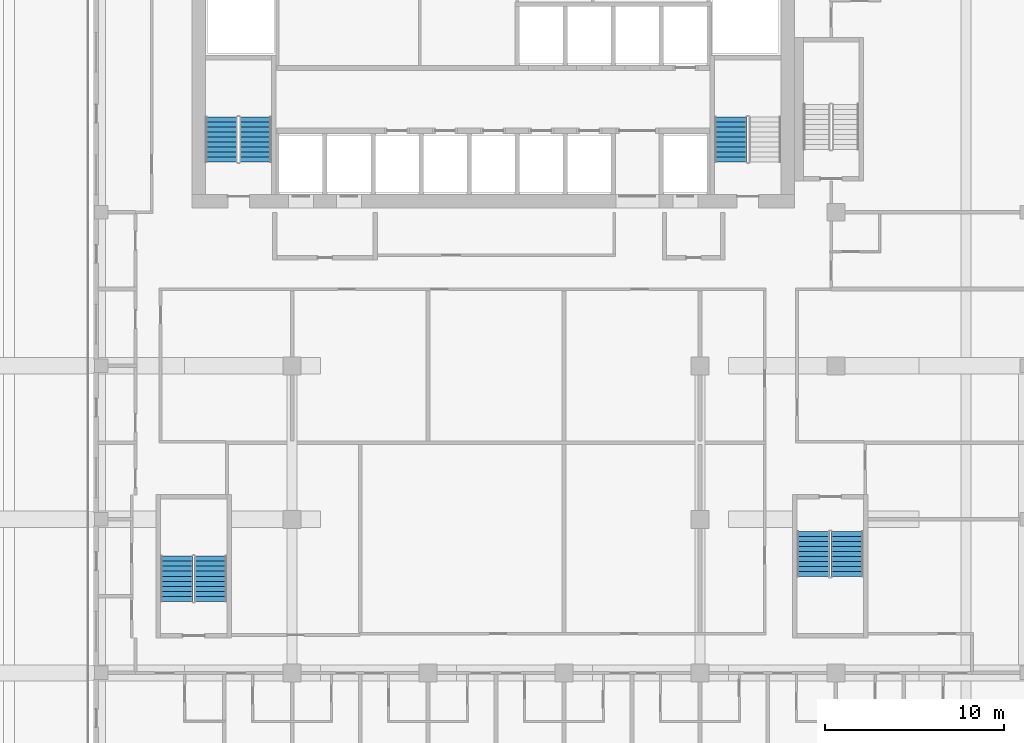
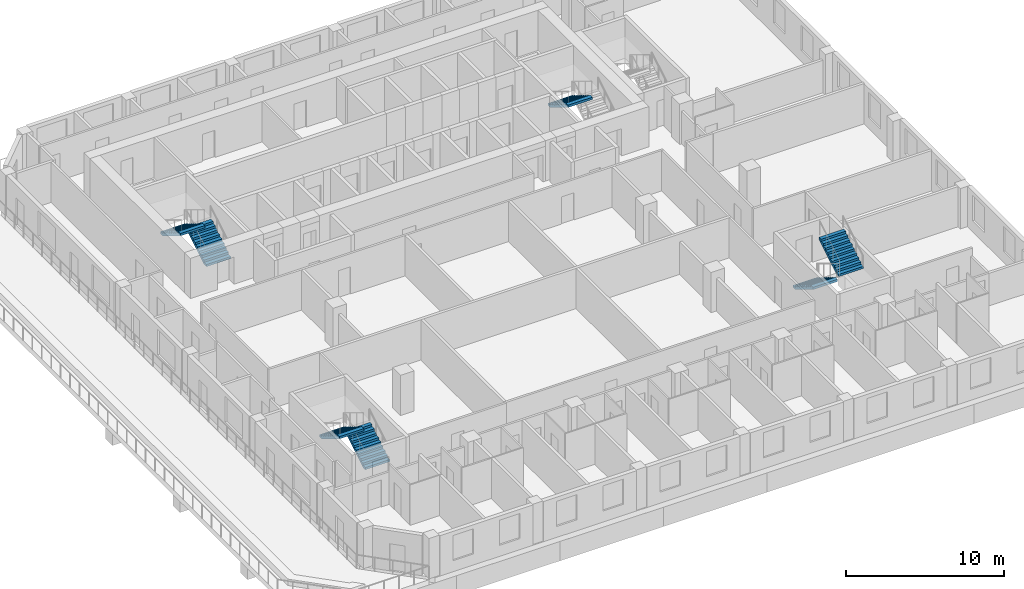
# One storey, part 12 of 16: 7 stair flights, 4 elements without a shape of their own.
"""IFC4 building model written with IfcOpenShell, lengths in metres."""

from ifc_helpers import new_model, si_unit, direction, frame, origin, place, context, subcontext, project, spatial, triangles, source, transform, mapped, material, type_object, element, aggregate, save


model = new_model("IFC4")

# Units and contexts
model_context = context("Model", 3, precision=1e-05, world=origin(), true_north=direction((0.0, 1.0)))
body_context = subcontext(model_context, "Body", "Model", "MODEL_VIEW")
ifc_project = project(units=[si_unit("LENGTHUNIT", "METRE"), si_unit("AREAUNIT", "SQUARE_METRE"), si_unit("VOLUMEUNIT", "CUBIC_METRE"), si_unit("PLANEANGLEUNIT", "RADIAN"), si_unit("MASSUNIT", "GRAM", prefix="KILO")], contexts=[model_context])

# Site, building, storey
site_placement = place(None, origin())
site = spatial("IfcSite", under=ifc_project, at=site_placement, CompositionType="ELEMENT")
building_placement = place(site_placement, origin())
building = spatial("IfcBuilding", under=site, at=building_placement, Name="Kilnfold Tower and Market Hall", CompositionType="ELEMENT")
storey_placement = place(building_placement, frame((0.0, 0.0, 199.89990234375)))
storey = spatial("IfcBuildingStorey", under=building, at=storey_placement, Name="L48", CompositionType="ELEMENT", Elevation=199.89990234375)

# Stair, stair flights
ifc_material_1 = material(Name="Concrete C40/50", Category="concrete")
stair_type = type_object("IfcStairType", Name="CORE STAIR 1800", PredefinedType="HALF_TURN_STAIR", material=ifc_material_1)
stair_1_placement = place(storey_placement, origin())
stair_1 = element("IfcStair", 1, at=stair_1_placement, inside=storey, type_object=stair_type, Name="L48 ST1", PredefinedType="HALF_TURN_STAIR")
ifc_material_2 = material(Name="Concrete C40/50", Category="concrete")
stair_flight_type = type_object("IfcStairFlightType", Name="CORE STAIR FLIGHT 1800", PredefinedType="STRAIGHT", material=ifc_material_2)
shared_shape = source(origin(), body_context, "Body", "Tessellation", [
    triangles([(0.0, 0.89990234375, 0.0), (0.0, 0.78759765625, 0.0), (0.0, 0.675048828125, 0.0), (0.0, 0.5625, 0.0), (0.0, 0.449951171875, 0.0), (0.0, 0.33740234375, 0.0), (0.0, 0.22509765625, 0.0), (0.0, 0.112548828125, 0.0), (0.0, 0.0, 0.0), (0.0, -0.112548828125, 0.0), (0.0, -0.22509765625, 0.0), (0.0, -0.33740234375, 0.0), (0.0, -0.449951171875, 0.0), (0.0, -0.5625, 0.0), (0.0, -0.675048828125, 0.0), (0.0, -0.78759765625, 0.0), (0.0, -0.89990234375, 0.0), (0.0, 0.89990234375, 0.169921875), (0.0, 0.78759765625, 0.169921875), (0.0, 0.675048828125, 0.169921875), (0.0, 0.5625, 0.169921875), (0.0, 0.449951171875, 0.169921875), (0.0, 0.33740234375, 0.169921875), (0.0, 0.22509765625, 0.169921875), (0.0, 0.112548828125, 0.169921875), (0.0, 0.0, 0.169921875), (0.0, -0.112548828125, 0.169921875), (0.0, -0.22509765625, 0.169921875), (0.0, -0.33740234375, 0.169921875), (0.0, -0.449951171875, 0.169921875), (0.0, -0.5625, 0.169921875), (0.0, -0.675048828125, 0.169921875), (0.0, -0.78759765625, 0.169921875), (0.0, -0.89990234375, 0.169921875), (0.280029296875, 0.89990234375, 0.169921875), (0.280029296875, 0.78759765625, 0.169921875), (0.280029296875, 0.675048828125, 0.169921875), (0.280029296875, 0.5625, 0.169921875), (0.280029296875, 0.449951171875, 0.169921875), (0.280029296875, 0.33740234375, 0.169921875), (0.280029296875, 0.22509765625, 0.169921875), (0.280029296875, 0.112548828125, 0.169921875), (0.280029296875, 0.0, 0.169921875), (0.280029296875, -0.112548828125, 0.169921875), (0.280029296875, -0.22509765625, 0.169921875), (0.280029296875, -0.33740234375, 0.169921875), (0.280029296875, -0.449951171875, 0.169921875), (0.280029296875, -0.5625, 0.169921875), (0.280029296875, -0.675048828125, 0.169921875), (0.280029296875, -0.78759765625, 0.169921875), (0.280029296875, -0.89990234375, 0.169921875), (0.280029296875, 0.89990234375, 0.340087890625), (0.280029296875, 0.78759765625, 0.340087890625), (0.280029296875, 0.675048828125, 0.340087890625), (0.280029296875, 0.5625, 0.340087890625), (0.280029296875, 0.449951171875, 0.340087890625), (0.280029296875, 0.33740234375, 0.340087890625), (0.280029296875, 0.22509765625, 0.340087890625), (0.280029296875, 0.112548828125, 0.340087890625), (0.280029296875, 0.0, 0.340087890625), (0.280029296875, -0.112548828125, 0.340087890625), (0.280029296875, -0.22509765625, 0.340087890625), (0.280029296875, -0.33740234375, 0.340087890625), (0.280029296875, -0.449951171875, 0.340087890625), (0.280029296875, -0.5625, 0.340087890625), (0.280029296875, -0.675048828125, 0.340087890625), (0.280029296875, -0.78759765625, 0.340087890625), (0.280029296875, -0.89990234375, 0.340087890625), (0.56005859375, 0.89990234375, 0.340087890625), (0.56005859375, 0.78759765625, 0.340087890625), (0.56005859375, 0.675048828125, 0.340087890625), (0.56005859375, 0.5625, 0.340087890625), (0.56005859375, 0.449951171875, 0.340087890625), (0.56005859375, 0.33740234375, 0.340087890625), (0.56005859375, 0.22509765625, 0.340087890625), (0.56005859375, 0.112548828125, 0.340087890625), (0.56005859375, 0.0, 0.340087890625), (0.56005859375, -0.112548828125, 0.340087890625), (0.56005859375, -0.22509765625, 0.340087890625), (0.56005859375, -0.33740234375, 0.340087890625), (0.56005859375, -0.449951171875, 0.340087890625), (0.56005859375, -0.5625, 0.340087890625), (0.56005859375, -0.675048828125, 0.340087890625), (0.56005859375, -0.78759765625, 0.340087890625), (0.56005859375, -0.89990234375, 0.340087890625), (0.56005859375, 0.89990234375, 0.510009765625), (0.56005859375, 0.78759765625, 0.510009765625), (0.56005859375, 0.675048828125, 0.510009765625), (0.56005859375, 0.5625, 0.510009765625), (0.56005859375, 0.449951171875, 0.510009765625), (0.56005859375, 0.33740234375, 0.510009765625), (0.56005859375, 0.22509765625, 0.510009765625), (0.56005859375, 0.112548828125, 0.510009765625), (0.56005859375, 0.0, 0.510009765625), (0.56005859375, -0.112548828125, 0.510009765625), (0.56005859375, -0.22509765625, 0.510009765625), (0.56005859375, -0.33740234375, 0.510009765625), (0.56005859375, -0.449951171875, 0.510009765625), (0.56005859375, -0.5625, 0.510009765625), (0.56005859375, -0.675048828125, 0.510009765625), (0.56005859375, -0.78759765625, 0.510009765625), (0.56005859375, -0.89990234375, 0.510009765625), (0.840087890625, 0.89990234375, 0.510009765625), (0.840087890625, 0.78759765625, 0.510009765625), (0.840087890625, 0.675048828125, 0.510009765625), (0.840087890625, 0.5625, 0.510009765625), (0.840087890625, 0.449951171875, 0.510009765625), (0.840087890625, 0.33740234375, 0.510009765625), (0.840087890625, 0.22509765625, 0.510009765625), (0.840087890625, 0.112548828125, 0.510009765625), (0.840087890625, 0.0, 0.510009765625), (0.840087890625, -0.112548828125, 0.510009765625), (0.840087890625, -0.22509765625, 0.510009765625), (0.840087890625, -0.33740234375, 0.510009765625), (0.840087890625, -0.449951171875, 0.510009765625), (0.840087890625, -0.5625, 0.510009765625), (0.840087890625, -0.675048828125, 0.510009765625), (0.840087890625, -0.78759765625, 0.510009765625), (0.840087890625, -0.89990234375, 0.510009765625), (0.840087890625, 0.89990234375, 0.679931640625), (0.840087890625, 0.78759765625, 0.679931640625), (0.840087890625, 0.675048828125, 0.679931640625), (0.840087890625, 0.5625, 0.679931640625), (0.840087890625, 0.449951171875, 0.679931640625), (0.840087890625, 0.33740234375, 0.679931640625), (0.840087890625, 0.22509765625, 0.679931640625), (0.840087890625, 0.112548828125, 0.679931640625), (0.840087890625, 0.0, 0.679931640625), (0.840087890625, -0.112548828125, 0.679931640625), (0.840087890625, -0.22509765625, 0.679931640625), (0.840087890625, -0.33740234375, 0.679931640625), (0.840087890625, -0.449951171875, 0.679931640625), (0.840087890625, -0.5625, 0.679931640625), (0.840087890625, -0.675048828125, 0.679931640625), (0.840087890625, -0.78759765625, 0.679931640625), (0.840087890625, -0.89990234375, 0.679931640625), (1.1201171875, 0.89990234375, 0.679931640625), (1.1201171875, 0.78759765625, 0.679931640625), (1.1201171875, 0.675048828125, 0.679931640625), (1.1201171875, 0.5625, 0.679931640625), (1.1201171875, 0.449951171875, 0.679931640625), (1.1201171875, 0.33740234375, 0.679931640625), (1.1201171875, 0.22509765625, 0.679931640625), (1.1201171875, 0.112548828125, 0.679931640625), (1.1201171875, 0.0, 0.679931640625), (1.1201171875, -0.112548828125, 0.679931640625), (1.1201171875, -0.22509765625, 0.679931640625), (1.1201171875, -0.33740234375, 0.679931640625), (1.1201171875, -0.449951171875, 0.679931640625), (1.1201171875, -0.5625, 0.679931640625), (1.1201171875, -0.675048828125, 0.679931640625), (1.1201171875, -0.78759765625, 0.679931640625), (1.1201171875, -0.89990234375, 0.679931640625), (1.1201171875, 0.89990234375, 0.85009765625), (1.1201171875, 0.78759765625, 0.85009765625), (1.1201171875, 0.675048828125, 0.85009765625), (1.1201171875, 0.5625, 0.85009765625), (1.1201171875, 0.449951171875, 0.85009765625), (1.1201171875, 0.33740234375, 0.85009765625), (1.1201171875, 0.22509765625, 0.85009765625), (1.1201171875, 0.112548828125, 0.85009765625), (1.1201171875, 0.0, 0.85009765625), (1.1201171875, -0.112548828125, 0.85009765625), (1.1201171875, -0.22509765625, 0.85009765625), (1.1201171875, -0.33740234375, 0.85009765625), (1.1201171875, -0.449951171875, 0.85009765625), (1.1201171875, -0.5625, 0.85009765625), (1.1201171875, -0.675048828125, 0.85009765625), (1.1201171875, -0.78759765625, 0.85009765625), (1.1201171875, -0.89990234375, 0.85009765625), (1.39990234375, 0.89990234375, 0.85009765625), (1.39990234375, 0.78759765625, 0.85009765625), (1.39990234375, 0.675048828125, 0.85009765625), (1.39990234375, 0.5625, 0.85009765625), (1.39990234375, 0.449951171875, 0.85009765625), (1.39990234375, 0.33740234375, 0.85009765625), (1.39990234375, 0.22509765625, 0.85009765625), (1.39990234375, 0.112548828125, 0.85009765625), (1.39990234375, 0.0, 0.85009765625), (1.39990234375, -0.112548828125, 0.85009765625), (1.39990234375, -0.22509765625, 0.85009765625), (1.39990234375, -0.33740234375, 0.85009765625), (1.39990234375, -0.449951171875, 0.85009765625), (1.39990234375, -0.5625, 0.85009765625), (1.39990234375, -0.675048828125, 0.85009765625), (1.39990234375, -0.78759765625, 0.85009765625), (1.39990234375, -0.89990234375, 0.85009765625), (1.39990234375, 0.89990234375, 1.02001953125), (1.39990234375, 0.78759765625, 1.02001953125), (1.39990234375, 0.675048828125, 1.02001953125), (1.39990234375, 0.5625, 1.02001953125), (1.39990234375, 0.449951171875, 1.02001953125), (1.39990234375, 0.33740234375, 1.02001953125), (1.39990234375, 0.22509765625, 1.02001953125), (1.39990234375, 0.112548828125, 1.02001953125), (1.39990234375, 0.0, 1.02001953125), (1.39990234375, -0.112548828125, 1.02001953125), (1.39990234375, -0.22509765625, 1.02001953125), (1.39990234375, -0.33740234375, 1.02001953125), (1.39990234375, -0.449951171875, 1.02001953125), (1.39990234375, -0.5625, 1.02001953125), (1.39990234375, -0.675048828125, 1.02001953125), (1.39990234375, -0.78759765625, 1.02001953125), (1.39990234375, -0.89990234375, 1.02001953125), (1.679931640625, 0.89990234375, 1.02001953125), (1.679931640625, 0.78759765625, 1.02001953125), (1.679931640625, 0.675048828125, 1.02001953125), (1.679931640625, 0.5625, 1.02001953125), (1.679931640625, 0.449951171875, 1.02001953125), (1.679931640625, 0.33740234375, 1.02001953125), (1.679931640625, 0.22509765625, 1.02001953125), (1.679931640625, 0.112548828125, 1.02001953125), (1.679931640625, 0.0, 1.02001953125), (1.679931640625, -0.112548828125, 1.02001953125), (1.679931640625, -0.22509765625, 1.02001953125), (1.679931640625, -0.33740234375, 1.02001953125), (1.679931640625, -0.449951171875, 1.02001953125), (1.679931640625, -0.5625, 1.02001953125), (1.679931640625, -0.675048828125, 1.02001953125), (1.679931640625, -0.78759765625, 1.02001953125), (1.679931640625, -0.89990234375, 1.02001953125), (1.679931640625, 0.89990234375, 1.18994140625), (1.679931640625, 0.78759765625, 1.18994140625), (1.679931640625, 0.675048828125, 1.18994140625), (1.679931640625, 0.5625, 1.18994140625), (1.679931640625, 0.449951171875, 1.18994140625), (1.679931640625, 0.33740234375, 1.18994140625), (1.679931640625, 0.22509765625, 1.18994140625), (1.679931640625, 0.112548828125, 1.18994140625), (1.679931640625, 0.0, 1.18994140625), (1.679931640625, -0.112548828125, 1.18994140625), (1.679931640625, -0.22509765625, 1.18994140625), (1.679931640625, -0.33740234375, 1.18994140625), (1.679931640625, -0.449951171875, 1.18994140625), (1.679931640625, -0.5625, 1.18994140625), (1.679931640625, -0.675048828125, 1.18994140625), (1.679931640625, -0.78759765625, 1.18994140625), (1.679931640625, -0.89990234375, 1.18994140625), (1.9599609375, 0.89990234375, 1.18994140625), (1.9599609375, 0.78759765625, 1.18994140625), (1.9599609375, 0.675048828125, 1.18994140625), (1.9599609375, 0.5625, 1.18994140625), (1.9599609375, 0.449951171875, 1.18994140625), (1.9599609375, 0.33740234375, 1.18994140625), (1.9599609375, 0.22509765625, 1.18994140625), (1.9599609375, 0.112548828125, 1.18994140625), (1.9599609375, 0.0, 1.18994140625), (1.9599609375, -0.112548828125, 1.18994140625), (1.9599609375, -0.22509765625, 1.18994140625), (1.9599609375, -0.33740234375, 1.18994140625), (1.9599609375, -0.449951171875, 1.18994140625), (1.9599609375, -0.5625, 1.18994140625), (1.9599609375, -0.675048828125, 1.18994140625), (1.9599609375, -0.78759765625, 1.18994140625), (1.9599609375, -0.89990234375, 1.18994140625), (1.9599609375, 0.89990234375, 1.360107421875), (1.9599609375, 0.78759765625, 1.360107421875), (1.9599609375, 0.675048828125, 1.360107421875), (1.9599609375, 0.5625, 1.360107421875), (1.9599609375, 0.449951171875, 1.360107421875), (1.9599609375, 0.33740234375, 1.360107421875), (1.9599609375, 0.22509765625, 1.360107421875), (1.9599609375, 0.112548828125, 1.360107421875), (1.9599609375, 0.0, 1.360107421875), (1.9599609375, -0.112548828125, 1.360107421875), (1.9599609375, -0.22509765625, 1.360107421875), (1.9599609375, -0.33740234375, 1.360107421875), (1.9599609375, -0.449951171875, 1.360107421875), (1.9599609375, -0.5625, 1.360107421875), (1.9599609375, -0.675048828125, 1.360107421875), (1.9599609375, -0.78759765625, 1.360107421875), (1.9599609375, -0.89990234375, 1.360107421875), (2.239990234375, 0.89990234375, 1.360107421875), (2.239990234375, 0.78759765625, 1.360107421875), (2.239990234375, 0.675048828125, 1.360107421875), (2.239990234375, 0.5625, 1.360107421875), (2.239990234375, 0.449951171875, 1.360107421875), (2.239990234375, 0.33740234375, 1.360107421875), (2.239990234375, 0.22509765625, 1.360107421875), (2.239990234375, 0.112548828125, 1.360107421875), (2.239990234375, 0.0, 1.360107421875), (2.239990234375, -0.112548828125, 1.360107421875), (2.239990234375, -0.22509765625, 1.360107421875), (2.239990234375, -0.33740234375, 1.360107421875), (2.239990234375, -0.449951171875, 1.360107421875), (2.239990234375, -0.5625, 1.360107421875), (2.239990234375, -0.675048828125, 1.360107421875), (2.239990234375, -0.78759765625, 1.360107421875), (2.239990234375, -0.89990234375, 1.360107421875), (2.239990234375, 0.89990234375, 1.530029296875), (2.239990234375, 0.78759765625, 1.530029296875), (2.239990234375, 0.675048828125, 1.530029296875), (2.239990234375, 0.5625, 1.530029296875), (2.239990234375, 0.449951171875, 1.530029296875), (2.239990234375, 0.33740234375, 1.530029296875), (2.239990234375, 0.22509765625, 1.530029296875), (2.239990234375, 0.112548828125, 1.530029296875), (2.239990234375, 0.0, 1.530029296875), (2.239990234375, -0.112548828125, 1.530029296875), (2.239990234375, -0.22509765625, 1.530029296875), (2.239990234375, -0.33740234375, 1.530029296875), (2.239990234375, -0.449951171875, 1.530029296875), (2.239990234375, -0.5625, 1.530029296875), (2.239990234375, -0.675048828125, 1.530029296875), (2.239990234375, -0.78759765625, 1.530029296875), (2.239990234375, -0.89990234375, 1.530029296875), (2.52001953125, 0.89990234375, 1.530029296875), (2.52001953125, 0.78759765625, 1.530029296875), (2.52001953125, 0.675048828125, 1.530029296875), (2.52001953125, 0.5625, 1.530029296875), (2.52001953125, 0.449951171875, 1.530029296875), (2.52001953125, 0.33740234375, 1.530029296875), (2.52001953125, 0.22509765625, 1.530029296875), (2.52001953125, 0.112548828125, 1.530029296875), (2.52001953125, 0.0, 1.530029296875), (2.52001953125, -0.112548828125, 1.530029296875), (2.52001953125, -0.22509765625, 1.530029296875), (2.52001953125, -0.33740234375, 1.530029296875), (2.52001953125, -0.449951171875, 1.530029296875), (2.52001953125, -0.5625, 1.530029296875), (2.52001953125, -0.675048828125, 1.530029296875), (2.52001953125, -0.78759765625, 1.530029296875), (2.52001953125, -0.89990234375, 1.530029296875), (2.52001953125, 0.89990234375, 1.354736328125), (2.52001953125, 0.78759765625, 1.354736328125), (2.52001953125, 0.675048828125, 1.354736328125), (2.52001953125, 0.5625, 1.354736328125), (2.52001953125, 0.449951171875, 1.354736328125), (2.52001953125, 0.33740234375, 1.354736328125), (2.52001953125, 0.22509765625, 1.354736328125), (2.52001953125, 0.112548828125, 1.354736328125), (2.52001953125, 0.0, 1.354736328125), (2.52001953125, -0.112548828125, 1.354736328125), (2.52001953125, -0.22509765625, 1.354736328125), (2.52001953125, -0.33740234375, 1.354736328125), (2.52001953125, -0.449951171875, 1.354736328125), (2.52001953125, -0.5625, 1.354736328125), (2.52001953125, -0.675048828125, 1.354736328125), (2.52001953125, -0.78759765625, 1.354736328125), (2.52001953125, -0.89990234375, 1.354736328125), (0.288818359375, 0.89990234375, 0.0), (0.288818359375, 0.78759765625, 0.0), (0.288818359375, 0.675048828125, 0.0), (0.288818359375, 0.5625, 0.0), (0.288818359375, 0.449951171875, 0.0), (0.288818359375, 0.33740234375, 0.0), (0.288818359375, 0.22509765625, 0.0), (0.288818359375, 0.112548828125, 0.0), (0.288818359375, 0.0, 0.0), (0.288818359375, -0.112548828125, 0.0), (0.288818359375, -0.22509765625, 0.0), (0.288818359375, -0.33740234375, 0.0), (0.288818359375, -0.449951171875, 0.0), (0.288818359375, -0.5625, 0.0), (0.288818359375, -0.675048828125, 0.0), (0.288818359375, -0.78759765625, 0.0), (0.288818359375, -0.89990234375, 0.0)], [[1, 324, 341], [17, 357, 340], [324, 290, 307], [340, 323, 306], [324, 273, 290], [340, 306, 289], [324, 256, 273], [340, 289, 272], [324, 239, 256], [340, 272, 255], [239, 205, 222], [255, 238, 221], [324, 205, 239], [340, 255, 221], [205, 171, 188], [221, 204, 187], [324, 171, 205], [340, 221, 187], [171, 137, 154], [187, 170, 153], [324, 137, 171], [340, 187, 153], [137, 103, 120], [153, 136, 119], [324, 103, 137], [340, 153, 119], [103, 69, 86], [119, 102, 85], [324, 69, 103], [340, 119, 85], [69, 35, 52], [85, 68, 51], [324, 35, 69], [340, 85, 51], [1, 35, 324], [17, 340, 51], [35, 1, 18], [51, 34, 17], [1, 19, 18], [1, 2, 19], [2, 20, 19], [2, 3, 20], [3, 21, 20], [3, 4, 21], [4, 22, 21], [4, 5, 22], [5, 23, 22], [5, 6, 23], [6, 24, 23], [6, 7, 24], [7, 25, 24], [7, 8, 25], [8, 26, 25], [8, 9, 26], [9, 27, 26], [9, 10, 27], [10, 28, 27], [10, 11, 28], [11, 29, 28], [11, 12, 29], [12, 30, 29], [12, 13, 30], [13, 31, 30], [13, 14, 31], [14, 32, 31], [14, 15, 32], [15, 33, 32], [15, 16, 33], [16, 34, 33], [16, 17, 34], [18, 36, 35], [18, 19, 36], [19, 37, 36], [19, 20, 37], [20, 38, 37], [20, 21, 38], [21, 39, 38], [21, 22, 39], [22, 40, 39], [22, 23, 40], [23, 41, 40], [23, 24, 41], [24, 42, 41], [24, 25, 42], [25, 43, 42], [25, 26, 43], [26, 44, 43], [26, 27, 44], [27, 45, 44], [27, 28, 45], [28, 46, 45], [28, 29, 46], [29, 47, 46], [29, 30, 47], [30, 48, 47], [30, 31, 48], [31, 49, 48], [31, 32, 49], [32, 50, 49], [32, 33, 50], [33, 51, 50], [33, 34, 51], [35, 53, 52], [35, 36, 53], [36, 54, 53], [36, 37, 54], [37, 55, 54], [37, 38, 55], [38, 56, 55], [38, 39, 56], [39, 57, 56], [39, 40, 57], [40, 58, 57], [40, 41, 58], [41, 59, 58], [41, 42, 59], [42, 60, 59], [42, 43, 60], [43, 61, 60], [43, 44, 61], [44, 62, 61], [44, 45, 62], [45, 63, 62], [45, 46, 63], [46, 64, 63], [46, 47, 64], [47, 65, 64], [47, 48, 65], [48, 66, 65], [48, 49, 66], [49, 67, 66], [49, 50, 67], [50, 68, 67], [50, 51, 68], [52, 70, 69], [52, 53, 70], [53, 71, 70], [53, 54, 71], [54, 72, 71], [54, 55, 72], [55, 73, 72], [55, 56, 73], [56, 74, 73], [56, 57, 74], [57, 75, 74], [57, 58, 75], [58, 76, 75], [58, 59, 76], [59, 77, 76], [59, 60, 77], [60, 78, 77], [60, 61, 78], [61, 79, 78], [61, 62, 79], [62, 80, 79], [62, 63, 80], [63, 81, 80], [63, 64, 81], [64, 82, 81], [64, 65, 82], [65, 83, 82], [65, 66, 83], [66, 84, 83], [66, 67, 84], [67, 85, 84], [67, 68, 85], [69, 87, 86], [69, 70, 87], [70, 88, 87], [70, 71, 88], [71, 89, 88], [71, 72, 89], [72, 90, 89], [72, 73, 90], [73, 91, 90], [73, 74, 91], [74, 92, 91], [74, 75, 92], [75, 93, 92], [75, 76, 93], [76, 94, 93], [76, 77, 94], [77, 95, 94], [77, 78, 95], [78, 96, 95], [78, 79, 96], [79, 97, 96], [79, 80, 97], [80, 98, 97], [80, 81, 98], [81, 99, 98], [81, 82, 99], [82, 100, 99], [82, 83, 100], [83, 101, 100], [83, 84, 101], [84, 102, 101], [84, 85, 102], [86, 104, 103], [86, 87, 104], [87, 105, 104], [87, 88, 105], [88, 106, 105], [88, 89, 106], [89, 107, 106], [89, 90, 107], [90, 108, 107], [90, 91, 108], [91, 109, 108], [91, 92, 109], [92, 110, 109], [92, 93, 110], [93, 111, 110], [93, 94, 111], [94, 112, 111], [94, 95, 112], [95, 113, 112], [95, 96, 113], [96, 114, 113], [96, 97, 114], [97, 115, 114], [97, 98, 115], [98, 116, 115], [98, 99, 116], [99, 117, 116], [99, 100, 117], [100, 118, 117], [100, 101, 118], [101, 119, 118], [101, 102, 119], [103, 121, 120], [103, 104, 121], [104, 122, 121], [104, 105, 122], [105, 123, 122], [105, 106, 123], [106, 124, 123], [106, 107, 124], [107, 125, 124], [107, 108, 125], [108, 126, 125], [108, 109, 126], [109, 127, 126], [109, 110, 127], [110, 128, 127], [110, 111, 128], [111, 129, 128], [111, 112, 129], [112, 130, 129], [112, 113, 130], [113, 131, 130], [113, 114, 131], [114, 132, 131], [114, 115, 132], [115, 133, 132], [115, 116, 133], [116, 134, 133], [116, 117, 134], [117, 135, 134], [117, 118, 135], [118, 136, 135], [118, 119, 136], [120, 138, 137], [120, 121, 138], [121, 139, 138], [121, 122, 139], [122, 140, 139], [122, 123, 140], [123, 141, 140], [123, 124, 141], [124, 142, 141], [124, 125, 142], [125, 143, 142], [125, 126, 143], [126, 144, 143], [126, 127, 144], [127, 145, 144], [127, 128, 145], [128, 146, 145], [128, 129, 146], [129, 147, 146], [129, 130, 147], [130, 148, 147], [130, 131, 148], [131, 149, 148], [131, 132, 149], [132, 150, 149], [132, 133, 150], [133, 151, 150], [133, 134, 151], [134, 152, 151], [134, 135, 152], [135, 153, 152], [135, 136, 153], [137, 155, 154], [137, 138, 155], [138, 156, 155], [138, 139, 156], [139, 157, 156], [139, 140, 157], [140, 158, 157], [140, 141, 158], [141, 159, 158], [141, 142, 159], [142, 160, 159], [142, 143, 160], [143, 161, 160], [143, 144, 161], [144, 162, 161], [144, 145, 162], [145, 163, 162], [145, 146, 163], [146, 164, 163], [146, 147, 164], [147, 165, 164], [147, 148, 165], [148, 166, 165], [148, 149, 166], [149, 167, 166], [149, 150, 167], [150, 168, 167], [150, 151, 168], [151, 169, 168], [151, 152, 169], [152, 170, 169], [152, 153, 170], [154, 172, 171], [154, 155, 172], [155, 173, 172], [155, 156, 173], [156, 174, 173], [156, 157, 174], [157, 175, 174], [157, 158, 175], [158, 176, 175], [158, 159, 176], [159, 177, 176], [159, 160, 177], [160, 178, 177], [160, 161, 178], [161, 179, 178], [161, 162, 179], [162, 180, 179], [162, 163, 180], [163, 181, 180], [163, 164, 181], [164, 182, 181], [164, 165, 182], [165, 183, 182], [165, 166, 183], [166, 184, 183], [166, 167, 184], [167, 185, 184], [167, 168, 185], [168, 186, 185], [168, 169, 186], [169, 187, 186], [169, 170, 187], [171, 189, 188], [171, 172, 189], [172, 190, 189], [172, 173, 190], [173, 191, 190], [173, 174, 191], [174, 192, 191], [174, 175, 192], [175, 193, 192], [175, 176, 193], [176, 194, 193], [176, 177, 194], [177, 195, 194], [177, 178, 195], [178, 196, 195], [178, 179, 196], [179, 197, 196], [179, 180, 197], [180, 198, 197], [180, 181, 198], [181, 199, 198], [181, 182, 199], [182, 200, 199], [182, 183, 200], [183, 201, 200], [183, 184, 201], [184, 202, 201], [184, 185, 202], [185, 203, 202], [185, 186, 203], [186, 204, 203], [186, 187, 204], [188, 206, 205], [188, 189, 206], [189, 207, 206], [189, 190, 207], [190, 208, 207], [190, 191, 208], [191, 209, 208], [191, 192, 209], [192, 210, 209], [192, 193, 210], [193, 211, 210], [193, 194, 211], [194, 212, 211], [194, 195, 212], [195, 213, 212], [195, 196, 213], [196, 214, 213], [196, 197, 214], [197, 215, 214], [197, 198, 215], [198, 216, 215], [198, 199, 216], [199, 217, 216], [199, 200, 217], [200, 218, 217], [200, 201, 218], [201, 219, 218], [201, 202, 219], [202, 220, 219], [202, 203, 220], [203, 221, 220], [203, 204, 221], [205, 223, 222], [205, 206, 223], [206, 224, 223], [206, 207, 224], [207, 225, 224], [207, 208, 225], [208, 226, 225], [208, 209, 226], [209, 227, 226], [209, 210, 227], [210, 228, 227], [210, 211, 228], [211, 229, 228], [211, 212, 229], [212, 230, 229], [212, 213, 230], [213, 231, 230], [213, 214, 231], [214, 232, 231], [214, 215, 232], [215, 233, 232], [215, 216, 233], [216, 234, 233], [216, 217, 234], [217, 235, 234], [217, 218, 235], [218, 236, 235], [218, 219, 236], [219, 237, 236], [219, 220, 237], [220, 238, 237], [220, 221, 238], [222, 240, 239], [222, 223, 240], [223, 241, 240], [223, 224, 241], [224, 242, 241], [224, 225, 242], [225, 243, 242], [225, 226, 243], [226, 244, 243], [226, 227, 244], [227, 245, 244], [227, 228, 245], [228, 246, 245], [228, 229, 246], [229, 247, 246], [229, 230, 247], [230, 248, 247], [230, 231, 248], [231, 249, 248], [231, 232, 249], [232, 250, 249], [232, 233, 250], [233, 251, 250], [233, 234, 251], [234, 252, 251], [234, 235, 252], [235, 253, 252], [235, 236, 253], [236, 254, 253], [236, 237, 254], [237, 255, 254], [237, 238, 255], [239, 257, 256], [239, 240, 257], [240, 258, 257], [240, 241, 258], [241, 259, 258], [241, 242, 259], [242, 260, 259], [242, 243, 260], [243, 261, 260], [243, 244, 261], [244, 262, 261], [244, 245, 262], [245, 263, 262], [245, 246, 263], [246, 264, 263], [246, 247, 264], [247, 265, 264], [247, 248, 265], [248, 266, 265], [248, 249, 266], [249, 267, 266], [249, 250, 267], [250, 268, 267], [250, 251, 268], [251, 269, 268], [251, 252, 269], [252, 270, 269], [252, 253, 270], [253, 271, 270], [253, 254, 271], [254, 272, 271], [254, 255, 272], [256, 274, 273], [256, 257, 274], [257, 275, 274], [257, 258, 275], [258, 276, 275], [258, 259, 276], [259, 277, 276], [259, 260, 277], [260, 278, 277], [260, 261, 278], [261, 279, 278], [261, 262, 279], [262, 280, 279], [262, 263, 280], [263, 281, 280], [263, 264, 281], [264, 282, 281], [264, 265, 282], [265, 283, 282], [265, 266, 283], [266, 284, 283], [266, 267, 284], [267, 285, 284], [267, 268, 285], [268, 286, 285], [268, 269, 286], [269, 287, 286], [269, 270, 287], [270, 288, 287], [270, 271, 288], [271, 289, 288], [271, 272, 289], [273, 291, 290], [273, 274, 291], [274, 292, 291], [274, 275, 292], [275, 293, 292], [275, 276, 293], [276, 294, 293], [276, 277, 294], [277, 295, 294], [277, 278, 295], [278, 296, 295], [278, 279, 296], [279, 297, 296], [279, 280, 297], [280, 298, 297], [280, 281, 298], [281, 299, 298], [281, 282, 299], [282, 300, 299], [282, 283, 300], [283, 301, 300], [283, 284, 301], [284, 302, 301], [284, 285, 302], [285, 303, 302], [285, 286, 303], [286, 304, 303], [286, 287, 304], [287, 305, 304], [287, 288, 305], [288, 306, 305], [288, 289, 306], [290, 308, 307], [290, 291, 308], [291, 309, 308], [291, 292, 309], [292, 310, 309], [292, 293, 310], [293, 311, 310], [293, 294, 311], [294, 312, 311], [294, 295, 312], [295, 313, 312], [295, 296, 313], [296, 314, 313], [296, 297, 314], [297, 315, 314], [297, 298, 315], [298, 316, 315], [298, 299, 316], [299, 317, 316], [299, 300, 317], [300, 318, 317], [300, 301, 318], [301, 319, 318], [301, 302, 319], [302, 320, 319], [302, 303, 320], [303, 321, 320], [303, 304, 321], [304, 322, 321], [304, 305, 322], [305, 323, 322], [305, 306, 323], [307, 325, 324], [307, 308, 325], [308, 326, 325], [308, 309, 326], [309, 327, 326], [309, 310, 327], [310, 328, 327], [310, 311, 328], [311, 329, 328], [311, 312, 329], [312, 330, 329], [312, 313, 330], [313, 331, 330], [313, 314, 331], [314, 332, 331], [314, 315, 332], [315, 333, 332], [315, 316, 333], [316, 334, 333], [316, 317, 334], [317, 335, 334], [317, 318, 335], [318, 336, 335], [318, 319, 336], [319, 337, 336], [319, 320, 337], [320, 338, 337], [320, 321, 338], [321, 339, 338], [321, 322, 339], [322, 340, 339], [322, 323, 340], [324, 342, 341], [324, 325, 342], [325, 343, 342], [325, 326, 343], [326, 344, 343], [326, 327, 344], [327, 345, 344], [327, 328, 345], [328, 346, 345], [328, 329, 346], [329, 347, 346], [329, 330, 347], [330, 348, 347], [330, 331, 348], [331, 349, 348], [331, 332, 349], [332, 350, 349], [332, 333, 350], [333, 351, 350], [333, 334, 351], [334, 352, 351], [334, 335, 352], [335, 353, 352], [335, 336, 353], [336, 354, 353], [336, 337, 354], [337, 355, 354], [337, 338, 355], [338, 356, 355], [338, 339, 356], [339, 357, 356], [339, 340, 357], [341, 2, 1], [341, 342, 2], [342, 3, 2], [342, 343, 3], [343, 4, 3], [343, 344, 4], [344, 5, 4], [344, 345, 5], [345, 6, 5], [345, 346, 6], [346, 7, 6], [346, 347, 7], [347, 8, 7], [347, 348, 8], [348, 9, 8], [348, 349, 9], [349, 10, 9], [349, 350, 10], [350, 11, 10], [350, 351, 11], [351, 12, 11], [351, 352, 12], [352, 13, 12], [352, 353, 13], [353, 14, 13], [353, 354, 14], [354, 15, 14], [354, 355, 15], [355, 16, 15], [355, 356, 16], [356, 17, 16], [356, 357, 17]], closed=True),
])
stair_flight_1_placement = place(storey_placement, frame((-12.199951171875, 10.800048828125, 0.0), z_axis=(0.0, 0.0, 1.0), x_axis=(0.0, 1.0, 0.0)))
stair_flight_1 = element("IfcStairFlight", 2, at=stair_flight_1_placement, type_object=stair_flight_type, Name="ST1 flight 1", NumberOfRisers=10, NumberOfTreads=9, PredefinedType="STRAIGHT", RiserHeight=0.17, TreadLength=0.28, context=body_context, shape_type="MappedRepresentation", body=[
    mapped(shared_shape, transform((0.0, 0.0, 0.0))),
])
stair_flight_2_placement = place(storey_placement, frame((-14.10009765625, 13.320068359375, 1.7001953125), z_axis=(0.0, 0.0, 1.0), x_axis=(0.0, -1.0, 0.0)))
stair_flight_2 = element("IfcStairFlight", 3, at=stair_flight_2_placement, type_object=stair_flight_type, Name="ST1 flight 2", NumberOfRisers=10, NumberOfTreads=9, PredefinedType="STRAIGHT", RiserHeight=0.17, TreadLength=0.28, context=body_context, shape_type="MappedRepresentation", body=[
    mapped(shared_shape, transform((0.0, 0.0, 0.0))),
])
aggregate(stair_1, [stair_flight_1, stair_flight_2])

# Stair, stair flight
stair_2_placement = place(storey_placement, origin())
stair_2 = element("IfcStair", 4, at=stair_2_placement, inside=storey, type_object=stair_type, Name="L48 ST2", PredefinedType="HALF_TURN_STAIR")
stair_flight_3_placement = place(storey_placement, frame((14.300048828125, 13.320068359375, 1.7001953125), z_axis=(0.0, 0.0, 1.0), x_axis=(0.0, -1.0, 0.0)))
stair_flight_3 = element("IfcStairFlight", 5, at=stair_flight_3_placement, type_object=stair_flight_type, Name="ST2 flight 2", NumberOfRisers=10, NumberOfTreads=9, PredefinedType="STRAIGHT", RiserHeight=0.17, TreadLength=0.28, context=body_context, shape_type="MappedRepresentation", body=[
    mapped(shared_shape, transform((0.0, 0.0, 0.0))),
])
aggregate(stair_2, [stair_flight_3])

# Stair, stair flights
stair_3_placement = place(storey_placement, origin())
stair_3 = element("IfcStair", 6, at=stair_3_placement, inside=storey, type_object=stair_type, Name="L48 ST3", PredefinedType="HALF_TURN_STAIR")
stair_flight_4_placement = place(storey_placement, frame((-14.699951171875, -13.699951171875, 0.0), z_axis=(0.0, 0.0, 1.0), x_axis=(0.0, 1.0, 0.0)))
stair_flight_4 = element("IfcStairFlight", 7, at=stair_flight_4_placement, type_object=stair_flight_type, Name="ST3 flight 1", NumberOfRisers=10, NumberOfTreads=9, PredefinedType="STRAIGHT", RiserHeight=0.17, TreadLength=0.28, context=body_context, shape_type="MappedRepresentation", body=[
    mapped(shared_shape, transform((0.0, 0.0, 0.0))),
])
stair_flight_5_placement = place(storey_placement, frame((-16.60009765625, -11.179931640625, 1.7001953125), z_axis=(0.0, 0.0, 1.0), x_axis=(0.0, -1.0, 0.0)))
stair_flight_5 = element("IfcStairFlight", 8, at=stair_flight_5_placement, type_object=stair_flight_type, Name="ST3 flight 2", NumberOfRisers=10, NumberOfTreads=9, PredefinedType="STRAIGHT", RiserHeight=0.17, TreadLength=0.28, context=body_context, shape_type="MappedRepresentation", body=[
    mapped(shared_shape, transform((0.0, 0.0, 0.0))),
])
aggregate(stair_3, [stair_flight_4, stair_flight_5])

stair_4_placement = place(storey_placement, origin())
stair_4 = element("IfcStair", 9, at=stair_4_placement, inside=storey, type_object=stair_type, Name="L48 ST4", PredefinedType="HALF_TURN_STAIR")
stair_flight_6_placement = place(storey_placement, frame((18.89990234375, -9.800048828125, 0.0), z_axis=(0.0, 0.0, 1.0), x_axis=(0.0, -1.0, 0.0)))
stair_flight_6 = element("IfcStairFlight", 10, at=stair_flight_6_placement, type_object=stair_flight_type, Name="ST4 flight 1", NumberOfRisers=10, NumberOfTreads=9, PredefinedType="STRAIGHT", RiserHeight=0.17, TreadLength=0.28, context=body_context, shape_type="MappedRepresentation", body=[
    mapped(shared_shape, transform((0.0, 0.0, 0.0))),
])
stair_flight_7_placement = place(storey_placement, frame((20.800048828125, -12.320068359375, 1.7001953125), z_axis=(0.0, 0.0, 1.0), x_axis=(0.0, 1.0, 0.0)))
stair_flight_7 = element("IfcStairFlight", 11, at=stair_flight_7_placement, type_object=stair_flight_type, Name="ST4 flight 2", NumberOfRisers=10, NumberOfTreads=9, PredefinedType="STRAIGHT", RiserHeight=0.17, TreadLength=0.28, context=body_context, shape_type="MappedRepresentation", body=[
    mapped(shared_shape, transform((0.0, 0.0, 0.0))),
])
aggregate(stair_4, [stair_flight_6, stair_flight_7])

save(model, "model.ifc")
